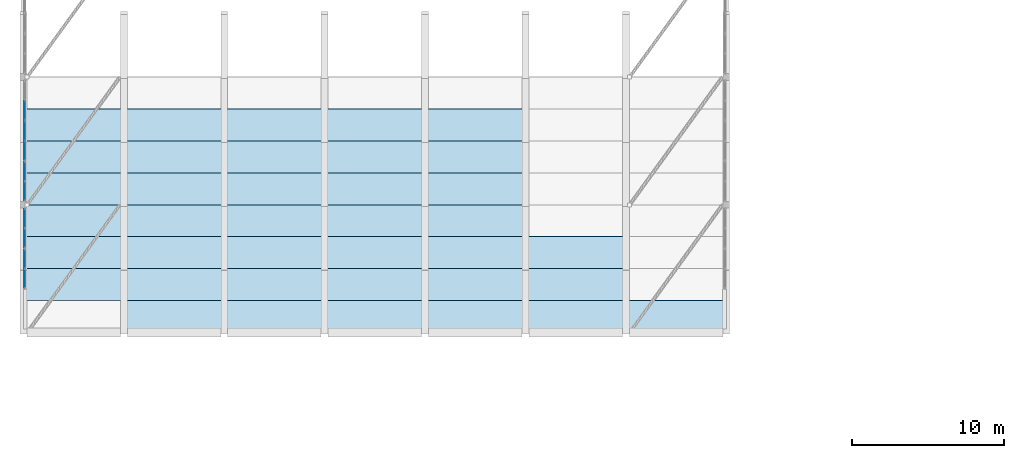
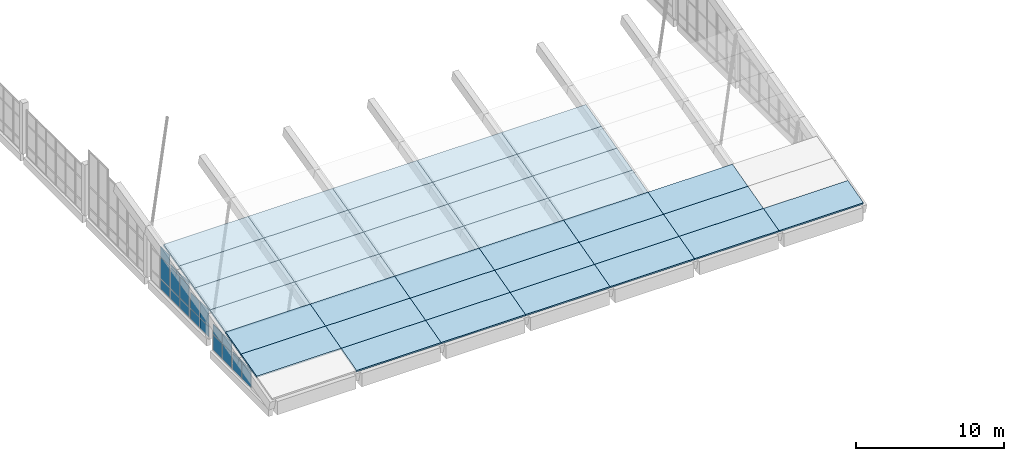
# One storey, part 40 of 78: 38 slabs, 21 plates, 5 elements without a shape of their own.
"""IFC4 building model written with IfcOpenShell, lengths in metres."""

from ifc_helpers import new_model, si_unit, direction, frame, origin, origin_2d, place, context, subcontext, project, spatial, polyline, rectangle, outline, extrude, material, layer, layer_set, type_object, element, aggregate, save


model = new_model("IFC4")

# Units and contexts
model_context = context("Model", 3, precision=1e-05, world=origin(), true_north=direction((0.0, 1.0)))
body_context = subcontext(model_context, "Body", "Model", "MODEL_VIEW")
ifc_project = project(units=[si_unit("LENGTHUNIT", "METRE"), si_unit("AREAUNIT", "SQUARE_METRE"), si_unit("VOLUMEUNIT", "CUBIC_METRE"), si_unit("PLANEANGLEUNIT", "RADIAN"), si_unit("MASSUNIT", "GRAM", prefix="KILO")], contexts=[model_context])

# Site, building, storey
site_placement = place(None, origin())
site = spatial("IfcSite", under=ifc_project, at=site_placement, CompositionType="ELEMENT")
building_placement = place(site_placement, origin())
building = spatial("IfcBuilding", under=site, at=building_placement, Name="Qaldarim Faculty of Natural and Applied Sciences", CompositionType="ELEMENT")
storey_placement = place(building_placement, frame((0.0, 0.0, 18.60009765625)))
storey = spatial("IfcBuildingStorey", under=building, at=storey_placement, Name="L04", CompositionType="ELEMENT", Elevation=18.60009765625)

# Curtain wall, plates
ifc_material_1 = material(Name="Anodised aluminium AW-6063", Category="aluminium")
curtain_wall_type_1 = type_object("IfcCurtainWallType", Name="CurtainWallSystem-M1500", PredefinedType="USERDEFINED", material=ifc_material_1)
curtain_wall_1_placement = place(storey_placement, origin())
curtain_wall_1 = element("IfcCurtainWall", 1, at=curtain_wall_1_placement, inside=storey, type_object=curtain_wall_type_1, Name="Curtain wall CW-GABLE-L04-W-Y03-2", ObjectType="STICK CURTAIN WALL", PredefinedType="USERDEFINED")
ifc_material_2 = material(Name="Champagne anodised aluminium AW-6063", Category="aluminium")
ifc_layer_1 = layer(ifc_material_2, 0.0400390625)
ifc_layer_set_1 = layer_set([ifc_layer_1], Name="Champagne anodised aluminium AW-6063")
plate_type_1 = type_object("IfcPlateType", Name="InsulatedSpandrelPanel-40", PredefinedType="CURTAIN_PANEL", material=ifc_layer_set_1)
plate_1_placement = place(storey_placement, frame((0.080078125, 21.646240234375, -0.919921875), z_axis=(0.0, 0.0, 1.0), x_axis=(0.0, -1.0, 0.0)))
plate_1 = element("IfcPlate", 2, at=plate_1_placement, type_object=plate_type_1, Name="Glazed panel 1-1 of CW-GABLE-L04-W-Y03-2", PredefinedType="CURTAIN_PANEL", context=body_context, shape_type="SweptSolid", body=[
    extrude(rectangle(XDim=1.2275390625, YDim=0.0400390625, at=origin_2d()), origin(), (0.0, 0.0, 1.0), 1.260009765625),
])
plate_2_placement = place(storey_placement, frame((0.080078125, 21.646240234375, 0.39990234375), z_axis=(0.0, 0.0, 1.0), x_axis=(0.0, -1.0, 0.0)))
plate_2 = element("IfcPlate", 3, at=plate_2_placement, type_object=plate_type_1, Name="Glazed panel 1-2 of CW-GABLE-L04-W-Y03-2", PredefinedType="CURTAIN_PANEL", context=body_context, shape_type="SweptSolid", body=[
    extrude(rectangle(XDim=1.2275390625, YDim=0.0400390625, at=origin_2d()), origin(), (0.0, 0.0, 1.0), 0.114990234375),
])
plate_3_placement = place(storey_placement, frame((0.080078125, 20.35888671875, -0.919921875), z_axis=(0.0, 0.0, 1.0), x_axis=(0.0, -1.0, 0.0)))
plate_3 = element("IfcPlate", 4, at=plate_3_placement, type_object=plate_type_1, Name="Glazed panel 2-1 of CW-GABLE-L04-W-Y03-2", PredefinedType="CURTAIN_PANEL", context=body_context, shape_type="SweptSolid", body=[
    extrude(rectangle(XDim=1.2275390625, YDim=0.0400390625, at=origin_2d()), origin(), (0.0, 0.0, 1.0), 1.260009765625),
])
plate_4_placement = place(storey_placement, frame((0.080078125, 20.35888671875, 0.39990234375), z_axis=(0.0, 0.0, 1.0), x_axis=(0.0, -1.0, 0.0)))
plate_4 = element("IfcPlate", 5, at=plate_4_placement, type_object=plate_type_1, Name="Glazed panel 2-2 of CW-GABLE-L04-W-Y03-2", PredefinedType="CURTAIN_PANEL", context=body_context, shape_type="SweptSolid", body=[
    extrude(rectangle(XDim=1.2275390625, YDim=0.0400390625, at=origin_2d()), origin(), (0.0, 0.0, 1.0), 0.114990234375),
])
aggregate(curtain_wall_1, [plate_1, plate_2, plate_3, plate_4])

curtain_wall_2_placement = place(storey_placement, origin())
curtain_wall_2 = element("IfcCurtainWall", 6, at=curtain_wall_2_placement, inside=storey, type_object=curtain_wall_type_1, Name="Curtain wall CW-GABLE-L04-W-Y03-3", ObjectType="STICK CURTAIN WALL", PredefinedType="USERDEFINED")
plate_5_placement = place(storey_placement, frame((0.080078125, 24.29638671875, -0.919921875), z_axis=(0.0, 0.0, 1.0), x_axis=(0.0, -1.0, 0.0)))
plate_5 = element("IfcPlate", 7, at=plate_5_placement, type_object=plate_type_1, Name="Glazed panel 1-1 of CW-GABLE-L04-W-Y03-3", PredefinedType="CURTAIN_PANEL", context=body_context, shape_type="SweptSolid", body=[
    extrude(rectangle(XDim=1.2275390625, YDim=0.0400390625, at=origin_2d()), origin(), (0.0, 0.0, 1.0), 1.260009765625),
])
plate_6_placement = place(storey_placement, frame((0.080078125, 24.29638671875, 0.39990234375), z_axis=(0.0, 0.0, 1.0), x_axis=(0.0, -1.0, 0.0)))
plate_6 = element("IfcPlate", 8, at=plate_6_placement, type_object=plate_type_1, Name="Glazed panel 1-2 of CW-GABLE-L04-W-Y03-3", PredefinedType="CURTAIN_PANEL", context=body_context, shape_type="SweptSolid", body=[
    extrude(rectangle(XDim=1.2275390625, YDim=0.0400390625, at=origin_2d()), origin(), (0.0, 0.0, 1.0), 0.804931640625),
])
plate_7_placement = place(storey_placement, frame((0.080078125, 23.0087890625, -0.919921875), z_axis=(0.0, 0.0, 1.0), x_axis=(0.0, -1.0, 0.0)))
plate_7 = element("IfcPlate", 9, at=plate_7_placement, type_object=plate_type_1, Name="Glazed panel 2-1 of CW-GABLE-L04-W-Y03-3", PredefinedType="CURTAIN_PANEL", context=body_context, shape_type="SweptSolid", body=[
    extrude(rectangle(XDim=1.2275390625, YDim=0.0400390625, at=origin_2d()), origin(), (0.0, 0.0, 1.0), 1.260009765625),
])
plate_8_placement = place(storey_placement, frame((0.080078125, 23.0087890625, 0.39990234375), z_axis=(0.0, 0.0, 1.0), x_axis=(0.0, -1.0, 0.0)))
plate_8 = element("IfcPlate", 10, at=plate_8_placement, type_object=plate_type_1, Name="Glazed panel 2-2 of CW-GABLE-L04-W-Y03-3", PredefinedType="CURTAIN_PANEL", context=body_context, shape_type="SweptSolid", body=[
    extrude(rectangle(XDim=1.2275390625, YDim=0.0400390625, at=origin_2d()), origin(), (0.0, 0.0, 1.0), 0.804931640625),
])
aggregate(curtain_wall_2, [plate_5, plate_6, plate_7, plate_8])

# Slabs
ifc_material_3 = material(Name="Concrete C40/50", Category="concrete")
ifc_layer_2 = layer(ifc_material_3, 0.159912109375)
ifc_layer_set_2 = layer_set([ifc_layer_2], Name="Concrete C40/50")
slab_type = type_object("IfcSlabType", Name="PointedArchShellStrip-160", PredefinedType="ROOF", material=ifc_layer_set_2)
slab_1_placement = place(storey_placement, frame((0.0, 29.438720703125, 3.14453125), z_axis=(0.0, -0.242588697378, 0.970129230518), x_axis=(1.0, 0.0, 0.0)))
element("IfcSlab", 11, at=slab_1_placement, inside=storey, type_object=slab_type, Name="Pointed-arch shell strip B01-S10", PredefinedType="ROOF", context=body_context, shape_type="SweptSolid", body=[
    extrude(outline(polyline([(0.0, 0.0), (6.60009765625, 0.0), (6.60009765625, 2.164760724846551), (0.0, 2.164760724846551), (0.0, 0.0)])), origin(), (0.0, 0.0, 1.0), 0.159912109375),
])
slab_2_placement = place(storey_placement, frame((0.0, 27.339599609375, 2.60986328125), z_axis=(0.0, -0.24685434662, 0.969052594834), x_axis=(1.0, 0.0, 0.0)))
element("IfcSlab", 12, at=slab_2_placement, inside=storey, type_object=slab_type, Name="Pointed-arch shell strip B01-S11", PredefinedType="ROOF", context=body_context, shape_type="SweptSolid", body=[
    extrude(outline(polyline([(0.0, 0.0), (6.60009765625, 0.0), (6.60009765625, 2.166913877346925), (0.0, 2.166913877346925), (0.0, 0.0)])), origin(), (0.0, 0.0, 1.0), 0.159912109375),
])
slab_3_placement = place(storey_placement, frame((0.0, 25.23974609375, 2.06982421875), z_axis=(0.0, -0.249047074443, 0.968491380814), x_axis=(1.0, 0.0, 0.0)))
element("IfcSlab", 13, at=slab_3_placement, inside=storey, type_object=slab_type, Name="Pointed-arch shell strip B01-S12", PredefinedType="ROOF", context=body_context, shape_type="SweptSolid", body=[
    extrude(outline(polyline([(0.0, 0.0), (6.60009765625, 0.0), (6.60009765625, 2.168421627546779), (0.0, 2.168421627546779), (0.0, 0.0)])), origin(), (0.0, 0.0, 1.0), 0.159912109375),
])
slab_4_placement = place(storey_placement, frame((0.0, 23.140380859375, 1.525146484375), z_axis=(0.0, -0.251184769049, 0.967939157074), x_axis=(1.0, 0.0, 0.0)))
element("IfcSlab", 14, at=slab_4_placement, inside=storey, type_object=slab_type, Name="Pointed-arch shell strip B01-S13", PredefinedType="ROOF", context=body_context, shape_type="SweptSolid", body=[
    extrude(outline(polyline([(0.0, 0.0), (6.60009765625, 0.0), (6.60009765625, 2.169406517215293), (0.0, 2.169406517215293), (0.0, 0.0)])), origin(), (0.0, 0.0, 1.0), 0.159912109375),
])
slab_5_placement = place(storey_placement, frame((0.0, 21.040771484375, 0.97021484375), z_axis=(0.0, -0.255472397462, 0.966816349745), x_axis=(1.0, 0.0, 0.0)))
element("IfcSlab", 15, at=slab_5_placement, inside=storey, type_object=slab_type, Name="Pointed-arch shell strip B01-S14", PredefinedType="ROOF", context=body_context, shape_type="SweptSolid", body=[
    extrude(outline(polyline([(0.0, 0.0), (6.60009765625, 0.0), (6.60009765625, 2.1721784667824826), (0.0, 2.1721784667824826), (0.0, 0.0)])), origin(), (0.0, 0.0, 1.0), 0.159912109375),
])
slab_6_placement = place(storey_placement, frame((0.0, 18.941162109375, 0.410400390625), z_axis=(0.0, -0.257676633066, 0.966231210825), x_axis=(1.0, 0.0, 0.0)))
element("IfcSlab", 16, at=slab_6_placement, inside=storey, type_object=slab_type, Name="Pointed-arch shell strip B01-S15", PredefinedType="ROOF", context=body_context, shape_type="SweptSolid", body=[
    extrude(outline(polyline([(0.0, 0.0), (6.60009765625, 0.0), (6.60009765625, 2.173493914005735), (0.0, 2.173493914005735), (0.0, 0.0)])), origin(), (0.0, 0.0, 1.0), 0.159912109375),
])
slab_7_placement = place(storey_placement, frame((6.60009765625, 29.438720703125, 3.14453125), z_axis=(0.0, -0.242588697378, 0.970129230518), x_axis=(1.0, 0.0, 0.0)))
element("IfcSlab", 17, at=slab_7_placement, inside=storey, type_object=slab_type, Name="Pointed-arch shell strip B02-S10", PredefinedType="ROOF", context=body_context, shape_type="SweptSolid", body=[
    extrude(outline(polyline([(0.0, 0.0), (6.599853515625, 0.0), (6.599853515625, 2.164760724846551), (0.0, 2.164760724846551), (0.0, 0.0)])), origin(), (0.0, 0.0, 1.0), 0.159912109375),
])
slab_8_placement = place(storey_placement, frame((6.60009765625, 27.339599609375, 2.60986328125), z_axis=(0.0, -0.24685434662, 0.969052594834), x_axis=(1.0, 0.0, 0.0)))
element("IfcSlab", 18, at=slab_8_placement, inside=storey, type_object=slab_type, Name="Pointed-arch shell strip B02-S11", PredefinedType="ROOF", context=body_context, shape_type="SweptSolid", body=[
    extrude(outline(polyline([(0.0, 0.0), (6.599853515625, 0.0), (6.599853515625, 2.166913877346925), (0.0, 2.166913877346925), (0.0, 0.0)])), origin(), (0.0, 0.0, 1.0), 0.159912109375),
])
slab_9_placement = place(storey_placement, frame((6.60009765625, 25.23974609375, 2.06982421875), z_axis=(0.0, -0.249047074443, 0.968491380814), x_axis=(1.0, 0.0, 0.0)))
element("IfcSlab", 19, at=slab_9_placement, inside=storey, type_object=slab_type, Name="Pointed-arch shell strip B02-S12", PredefinedType="ROOF", context=body_context, shape_type="SweptSolid", body=[
    extrude(outline(polyline([(0.0, 0.0), (6.599853515625, 0.0), (6.599853515625, 2.168421627546779), (0.0, 2.168421627546779), (0.0, 0.0)])), origin(), (0.0, 0.0, 1.0), 0.159912109375),
])
slab_10_placement = place(storey_placement, frame((6.60009765625, 23.140380859375, 1.525146484375), z_axis=(0.0, -0.251184769049, 0.967939157074), x_axis=(1.0, 0.0, 0.0)))
element("IfcSlab", 20, at=slab_10_placement, inside=storey, type_object=slab_type, Name="Pointed-arch shell strip B02-S13", PredefinedType="ROOF", context=body_context, shape_type="SweptSolid", body=[
    extrude(outline(polyline([(0.0, 0.0), (6.599853515625, 0.0), (6.599853515625, 2.169406517215293), (0.0, 2.169406517215293), (0.0, 0.0)])), origin(), (0.0, 0.0, 1.0), 0.159912109375),
])
slab_11_placement = place(storey_placement, frame((6.60009765625, 21.040771484375, 0.97021484375), z_axis=(0.0, -0.255472397462, 0.966816349745), x_axis=(1.0, 0.0, 0.0)))
element("IfcSlab", 21, at=slab_11_placement, inside=storey, type_object=slab_type, Name="Pointed-arch shell strip B02-S14", PredefinedType="ROOF", context=body_context, shape_type="SweptSolid", body=[
    extrude(outline(polyline([(0.0, 0.0), (6.599853515625, 0.0), (6.599853515625, 2.1721784667824826), (0.0, 2.1721784667824826), (0.0, 0.0)])), origin(), (0.0, 0.0, 1.0), 0.159912109375),
])
slab_12_placement = place(storey_placement, frame((6.60009765625, 18.941162109375, 0.410400390625), z_axis=(0.0, -0.257676633066, 0.966231210825), x_axis=(1.0, 0.0, 0.0)))
element("IfcSlab", 22, at=slab_12_placement, inside=storey, type_object=slab_type, Name="Pointed-arch shell strip B02-S15", PredefinedType="ROOF", context=body_context, shape_type="SweptSolid", body=[
    extrude(outline(polyline([(0.0, 0.0), (6.599853515625, 0.0), (6.599853515625, 2.1734939140057357), (0.0, 2.1734939140057357), (0.0, 0.0)])), origin(), (0.0, 0.0, 1.0), 0.159912109375),
])
slab_13_placement = place(storey_placement, frame((6.60009765625, 16.841552734375, -0.154541015625), z_axis=(0.0, -0.259800336151, 0.965662355762), x_axis=(1.0, 0.0, 0.0)))
element("IfcSlab", 23, at=slab_13_placement, inside=storey, type_object=slab_type, Name="Pointed-arch shell strip B02-S16", PredefinedType="ROOF", context=body_context, shape_type="SweptSolid", body=[
    extrude(outline(polyline([(0.0, 0.0), (6.599853515625, 0.0), (6.599853515625, 2.174521459902937), (0.0, 2.174521459902937), (0.0, 0.0)])), origin(), (0.0, 0.0, 1.0), 0.159912109375),
])
slab_14_placement = place(storey_placement, frame((13.199951171875, 29.438720703125, 3.14453125), z_axis=(0.0, -0.242588697378, 0.970129230518), x_axis=(1.0, 0.0, 0.0)))
element("IfcSlab", 24, at=slab_14_placement, inside=storey, type_object=slab_type, Name="Pointed-arch shell strip B03-S10", PredefinedType="ROOF", context=body_context, shape_type="SweptSolid", body=[
    extrude(outline(polyline([(0.0, 0.0), (6.60009765625, 0.0), (6.60009765625, 2.164760724846551), (0.0, 2.164760724846551), (0.0, 0.0)])), origin(), (0.0, 0.0, 1.0), 0.159912109375),
])
slab_15_placement = place(storey_placement, frame((13.199951171875, 27.339599609375, 2.60986328125), z_axis=(0.0, -0.24685434662, 0.969052594834), x_axis=(1.0, 0.0, 0.0)))
element("IfcSlab", 25, at=slab_15_placement, inside=storey, type_object=slab_type, Name="Pointed-arch shell strip B03-S11", PredefinedType="ROOF", context=body_context, shape_type="SweptSolid", body=[
    extrude(outline(polyline([(0.0, 0.0), (6.60009765625, 0.0), (6.60009765625, 2.166913877346925), (0.0, 2.166913877346925), (0.0, 0.0)])), origin(), (0.0, 0.0, 1.0), 0.159912109375),
])
slab_16_placement = place(storey_placement, frame((13.199951171875, 25.23974609375, 2.06982421875), z_axis=(0.0, -0.249047074443, 0.968491380814), x_axis=(1.0, 0.0, 0.0)))
element("IfcSlab", 26, at=slab_16_placement, inside=storey, type_object=slab_type, Name="Pointed-arch shell strip B03-S12", PredefinedType="ROOF", context=body_context, shape_type="SweptSolid", body=[
    extrude(outline(polyline([(0.0, 0.0), (6.60009765625, 0.0), (6.60009765625, 2.168421627546779), (0.0, 2.168421627546779), (0.0, 0.0)])), origin(), (0.0, 0.0, 1.0), 0.159912109375),
])
slab_17_placement = place(storey_placement, frame((13.199951171875, 23.140380859375, 1.525146484375), z_axis=(0.0, -0.251184769049, 0.967939157074), x_axis=(1.0, 0.0, 0.0)))
element("IfcSlab", 27, at=slab_17_placement, inside=storey, type_object=slab_type, Name="Pointed-arch shell strip B03-S13", PredefinedType="ROOF", context=body_context, shape_type="SweptSolid", body=[
    extrude(outline(polyline([(0.0, 0.0), (6.60009765625, 0.0), (6.60009765625, 2.169406517215293), (0.0, 2.169406517215293), (0.0, 0.0)])), origin(), (0.0, 0.0, 1.0), 0.159912109375),
])
slab_18_placement = place(storey_placement, frame((13.199951171875, 21.040771484375, 0.97021484375), z_axis=(0.0, -0.255472397462, 0.966816349745), x_axis=(1.0, 0.0, 0.0)))
element("IfcSlab", 28, at=slab_18_placement, inside=storey, type_object=slab_type, Name="Pointed-arch shell strip B03-S14", PredefinedType="ROOF", context=body_context, shape_type="SweptSolid", body=[
    extrude(outline(polyline([(0.0, 0.0), (6.60009765625, 0.0), (6.60009765625, 2.1721784667824826), (0.0, 2.1721784667824826), (0.0, 0.0)])), origin(), (0.0, 0.0, 1.0), 0.159912109375),
])
slab_19_placement = place(storey_placement, frame((13.199951171875, 18.941162109375, 0.410400390625), z_axis=(0.0, -0.257676633066, 0.966231210825), x_axis=(1.0, 0.0, 0.0)))
element("IfcSlab", 29, at=slab_19_placement, inside=storey, type_object=slab_type, Name="Pointed-arch shell strip B03-S15", PredefinedType="ROOF", context=body_context, shape_type="SweptSolid", body=[
    extrude(outline(polyline([(0.0, 0.0), (6.60009765625, 0.0), (6.60009765625, 2.173493914005735), (0.0, 2.173493914005735), (0.0, 0.0)])), origin(), (0.0, 0.0, 1.0), 0.159912109375),
])
slab_20_placement = place(storey_placement, frame((13.199951171875, 16.841552734375, -0.154541015625), z_axis=(0.0, -0.259800336151, 0.965662355762), x_axis=(1.0, 0.0, 0.0)))
element("IfcSlab", 30, at=slab_20_placement, inside=storey, type_object=slab_type, Name="Pointed-arch shell strip B03-S16", PredefinedType="ROOF", context=body_context, shape_type="SweptSolid", body=[
    extrude(outline(polyline([(0.0, 0.0), (6.60009765625, 0.0), (6.60009765625, 2.174521459902937), (0.0, 2.174521459902937), (0.0, 0.0)])), origin(), (0.0, 0.0, 1.0), 0.159912109375),
])
slab_21_placement = place(storey_placement, frame((19.800048828125, 29.438720703125, 3.14453125), z_axis=(0.0, -0.242588697378, 0.970129230518), x_axis=(1.0, 0.0, 0.0)))
element("IfcSlab", 31, at=slab_21_placement, inside=storey, type_object=slab_type, Name="Pointed-arch shell strip B04-S10", PredefinedType="ROOF", context=body_context, shape_type="SweptSolid", body=[
    extrude(outline(polyline([(0.0, 0.0), (6.599853515625, 0.0), (6.599853515625, 2.164760724846551), (0.0, 2.164760724846551), (0.0, 0.0)])), origin(), (0.0, 0.0, 1.0), 0.159912109375),
])
slab_22_placement = place(storey_placement, frame((19.800048828125, 27.339599609375, 2.60986328125), z_axis=(0.0, -0.24685434662, 0.969052594834), x_axis=(1.0, 0.0, 0.0)))
element("IfcSlab", 32, at=slab_22_placement, inside=storey, type_object=slab_type, Name="Pointed-arch shell strip B04-S11", PredefinedType="ROOF", context=body_context, shape_type="SweptSolid", body=[
    extrude(outline(polyline([(0.0, 0.0), (6.599853515625, 0.0), (6.599853515625, 2.166913877346925), (0.0, 2.166913877346925), (0.0, 0.0)])), origin(), (0.0, 0.0, 1.0), 0.159912109375),
])
slab_23_placement = place(storey_placement, frame((19.800048828125, 25.23974609375, 2.06982421875), z_axis=(0.0, -0.249047074443, 0.968491380814), x_axis=(1.0, 0.0, 0.0)))
element("IfcSlab", 33, at=slab_23_placement, inside=storey, type_object=slab_type, Name="Pointed-arch shell strip B04-S12", PredefinedType="ROOF", context=body_context, shape_type="SweptSolid", body=[
    extrude(outline(polyline([(0.0, 0.0), (6.599853515625, 0.0), (6.599853515625, 2.168421627546779), (0.0, 2.168421627546779), (0.0, 0.0)])), origin(), (0.0, 0.0, 1.0), 0.159912109375),
])
slab_24_placement = place(storey_placement, frame((19.800048828125, 23.140380859375, 1.525146484375), z_axis=(0.0, -0.251184769049, 0.967939157074), x_axis=(1.0, 0.0, 0.0)))
element("IfcSlab", 34, at=slab_24_placement, inside=storey, type_object=slab_type, Name="Pointed-arch shell strip B04-S13", PredefinedType="ROOF", context=body_context, shape_type="SweptSolid", body=[
    extrude(outline(polyline([(0.0, 0.0), (6.599853515625, 0.0), (6.599853515625, 2.169406517215293), (0.0, 2.169406517215293), (0.0, 0.0)])), origin(), (0.0, 0.0, 1.0), 0.159912109375),
])
slab_25_placement = place(storey_placement, frame((19.800048828125, 21.040771484375, 0.97021484375), z_axis=(0.0, -0.255472397462, 0.966816349745), x_axis=(1.0, 0.0, 0.0)))
element("IfcSlab", 35, at=slab_25_placement, inside=storey, type_object=slab_type, Name="Pointed-arch shell strip B04-S14", PredefinedType="ROOF", context=body_context, shape_type="SweptSolid", body=[
    extrude(outline(polyline([(0.0, 0.0), (6.599853515625, 0.0), (6.599853515625, 2.1721784667824826), (0.0, 2.1721784667824826), (0.0, 0.0)])), origin(), (0.0, 0.0, 1.0), 0.159912109375),
])
slab_26_placement = place(storey_placement, frame((19.800048828125, 18.941162109375, 0.410400390625), z_axis=(0.0, -0.257676633066, 0.966231210825), x_axis=(1.0, 0.0, 0.0)))
element("IfcSlab", 36, at=slab_26_placement, inside=storey, type_object=slab_type, Name="Pointed-arch shell strip B04-S15", PredefinedType="ROOF", context=body_context, shape_type="SweptSolid", body=[
    extrude(outline(polyline([(0.0, 0.0), (6.599853515625, 0.0), (6.599853515625, 2.1734939140057357), (0.0, 2.1734939140057357), (0.0, 0.0)])), origin(), (0.0, 0.0, 1.0), 0.159912109375),
])
slab_27_placement = place(storey_placement, frame((19.800048828125, 16.841552734375, -0.154541015625), z_axis=(0.0, -0.259800336151, 0.965662355762), x_axis=(1.0, 0.0, 0.0)))
element("IfcSlab", 37, at=slab_27_placement, inside=storey, type_object=slab_type, Name="Pointed-arch shell strip B04-S16", PredefinedType="ROOF", context=body_context, shape_type="SweptSolid", body=[
    extrude(outline(polyline([(0.0, 0.0), (6.599853515625, 0.0), (6.599853515625, 2.174521459902937), (0.0, 2.174521459902937), (0.0, 0.0)])), origin(), (0.0, 0.0, 1.0), 0.159912109375),
])
slab_28_placement = place(storey_placement, frame((26.39990234375, 29.438720703125, 3.14453125), z_axis=(0.0, -0.242588697378, 0.970129230518), x_axis=(1.0, 0.0, 0.0)))
element("IfcSlab", 38, at=slab_28_placement, inside=storey, type_object=slab_type, Name="Pointed-arch shell strip B05-S10", PredefinedType="ROOF", context=body_context, shape_type="SweptSolid", body=[
    extrude(outline(polyline([(0.0, 0.0), (6.60009765625, 0.0), (6.60009765625, 2.164760724846551), (0.0, 2.164760724846551), (0.0, 0.0)])), origin(), (0.0, 0.0, 1.0), 0.159912109375),
])
slab_29_placement = place(storey_placement, frame((26.39990234375, 27.339599609375, 2.60986328125), z_axis=(0.0, -0.24685434662, 0.969052594834), x_axis=(1.0, 0.0, 0.0)))
element("IfcSlab", 39, at=slab_29_placement, inside=storey, type_object=slab_type, Name="Pointed-arch shell strip B05-S11", PredefinedType="ROOF", context=body_context, shape_type="SweptSolid", body=[
    extrude(outline(polyline([(0.0, 0.0), (6.60009765625, 0.0), (6.60009765625, 2.166913877346925), (0.0, 2.166913877346925), (0.0, 0.0)])), origin(), (0.0, 0.0, 1.0), 0.159912109375),
])
slab_30_placement = place(storey_placement, frame((26.39990234375, 25.23974609375, 2.06982421875), z_axis=(0.0, -0.249047074443, 0.968491380814), x_axis=(1.0, 0.0, 0.0)))
element("IfcSlab", 40, at=slab_30_placement, inside=storey, type_object=slab_type, Name="Pointed-arch shell strip B05-S12", PredefinedType="ROOF", context=body_context, shape_type="SweptSolid", body=[
    extrude(outline(polyline([(0.0, 0.0), (6.60009765625, 0.0), (6.60009765625, 2.168421627546779), (0.0, 2.168421627546779), (0.0, 0.0)])), origin(), (0.0, 0.0, 1.0), 0.159912109375),
])
slab_31_placement = place(storey_placement, frame((26.39990234375, 23.140380859375, 1.525146484375), z_axis=(0.0, -0.251184769049, 0.967939157074), x_axis=(1.0, 0.0, 0.0)))
element("IfcSlab", 41, at=slab_31_placement, inside=storey, type_object=slab_type, Name="Pointed-arch shell strip B05-S13", PredefinedType="ROOF", context=body_context, shape_type="SweptSolid", body=[
    extrude(outline(polyline([(0.0, 0.0), (6.60009765625, 0.0), (6.60009765625, 2.169406517215293), (0.0, 2.169406517215293), (0.0, 0.0)])), origin(), (0.0, 0.0, 1.0), 0.159912109375),
])
slab_32_placement = place(storey_placement, frame((26.39990234375, 21.040771484375, 0.97021484375), z_axis=(0.0, -0.255472397462, 0.966816349745), x_axis=(1.0, 0.0, 0.0)))
element("IfcSlab", 42, at=slab_32_placement, inside=storey, type_object=slab_type, Name="Pointed-arch shell strip B05-S14", PredefinedType="ROOF", context=body_context, shape_type="SweptSolid", body=[
    extrude(outline(polyline([(0.0, 0.0), (6.60009765625, 0.0), (6.60009765625, 2.1721784667824826), (0.0, 2.1721784667824826), (0.0, 0.0)])), origin(), (0.0, 0.0, 1.0), 0.159912109375),
])
slab_33_placement = place(storey_placement, frame((26.39990234375, 18.941162109375, 0.410400390625), z_axis=(0.0, -0.257676633066, 0.966231210825), x_axis=(1.0, 0.0, 0.0)))
element("IfcSlab", 43, at=slab_33_placement, inside=storey, type_object=slab_type, Name="Pointed-arch shell strip B05-S15", PredefinedType="ROOF", context=body_context, shape_type="SweptSolid", body=[
    extrude(outline(polyline([(0.0, 0.0), (6.60009765625, 0.0), (6.60009765625, 2.173493914005735), (0.0, 2.173493914005735), (0.0, 0.0)])), origin(), (0.0, 0.0, 1.0), 0.159912109375),
])
slab_34_placement = place(storey_placement, frame((26.39990234375, 16.841552734375, -0.154541015625), z_axis=(0.0, -0.259800336151, 0.965662355762), x_axis=(1.0, 0.0, 0.0)))
element("IfcSlab", 44, at=slab_34_placement, inside=storey, type_object=slab_type, Name="Pointed-arch shell strip B05-S16", PredefinedType="ROOF", context=body_context, shape_type="SweptSolid", body=[
    extrude(outline(polyline([(0.0, 0.0), (6.60009765625, 0.0), (6.60009765625, 2.174521459902937), (0.0, 2.174521459902937), (0.0, 0.0)])), origin(), (0.0, 0.0, 1.0), 0.159912109375),
])
slab_35_placement = place(storey_placement, frame((33.0, 21.040771484375, 0.97021484375), z_axis=(0.0, -0.255472397462, 0.966816349745), x_axis=(1.0, 0.0, 0.0)))
element("IfcSlab", 45, at=slab_35_placement, inside=storey, type_object=slab_type, Name="Pointed-arch shell strip B06-S14", PredefinedType="ROOF", context=body_context, shape_type="SweptSolid", body=[
    extrude(outline(polyline([(0.0, 0.0), (6.60009765625, 0.0), (6.60009765625, 2.1721784667824826), (0.0, 2.1721784667824826), (0.0, 0.0)])), origin(), (0.0, 0.0, 1.0), 0.159912109375),
])
slab_36_placement = place(storey_placement, frame((33.0, 18.941162109375, 0.410400390625), z_axis=(0.0, -0.257676633066, 0.966231210825), x_axis=(1.0, 0.0, 0.0)))
element("IfcSlab", 46, at=slab_36_placement, inside=storey, type_object=slab_type, Name="Pointed-arch shell strip B06-S15", PredefinedType="ROOF", context=body_context, shape_type="SweptSolid", body=[
    extrude(outline(polyline([(0.0, 0.0), (6.60009765625, 0.0), (6.60009765625, 2.173493914005735), (0.0, 2.173493914005735), (0.0, 0.0)])), origin(), (0.0, 0.0, 1.0), 0.159912109375),
])
slab_37_placement = place(storey_placement, frame((33.0, 16.841552734375, -0.154541015625), z_axis=(0.0, -0.259800336151, 0.965662355762), x_axis=(1.0, 0.0, 0.0)))
element("IfcSlab", 47, at=slab_37_placement, inside=storey, type_object=slab_type, Name="Pointed-arch shell strip B06-S16", PredefinedType="ROOF", context=body_context, shape_type="SweptSolid", body=[
    extrude(outline(polyline([(0.0, 0.0), (6.60009765625, 0.0), (6.60009765625, 2.174521459902937), (0.0, 2.174521459902937), (0.0, 0.0)])), origin(), (0.0, 0.0, 1.0), 0.159912109375),
])
slab_38_placement = place(storey_placement, frame((39.60009765625, 16.841552734375, -0.154541015625), z_axis=(0.0, -0.259800336151, 0.965662355762), x_axis=(1.0, 0.0, 0.0)))
element("IfcSlab", 48, at=slab_38_placement, inside=storey, type_object=slab_type, Name="Pointed-arch shell strip B07-S16", PredefinedType="ROOF", context=body_context, shape_type="SweptSolid", body=[
    extrude(outline(polyline([(0.0, 0.0), (6.599853515625, 0.0), (6.599853515625, 2.174521459902937), (0.0, 2.174521459902937), (0.0, 0.0)])), origin(), (0.0, 0.0, 1.0), 0.159912109375),
])

# Curtain wall, plates
curtain_wall_type_2 = type_object("IfcCurtainWallType", Name="CurtainWallSystem-M1300", PredefinedType="USERDEFINED", material=ifc_material_1)
curtain_wall_3_placement = place(storey_placement, origin())
curtain_wall_3 = element("IfcCurtainWall", 49, at=curtain_wall_3_placement, inside=storey, type_object=curtain_wall_type_2, Name="Curtain wall CW-GABLE-L04-W-Y04-1", ObjectType="STICK CURTAIN WALL", PredefinedType="USERDEFINED")
ifc_material_4 = material(Name="Insulated low-e double glazing", Category="glass")
ifc_layer_3 = layer(ifc_material_4, 0.028076171875)
ifc_layer_set_3 = layer_set([ifc_layer_3], Name="Insulated low-e double glazing")
plate_type_2 = type_object("IfcPlateType", Name="VisionGlazingPanel-28", PredefinedType="CURTAIN_PANEL", material=ifc_layer_set_3)
plate_9_placement = place(storey_placement, frame((0.080078125, 27.39111328125, -0.2001953125), z_axis=(0.0, 0.0, 1.0), x_axis=(0.0, -1.0, 0.0)))
plate_9 = element("IfcPlate", 50, at=plate_9_placement, type_object=plate_type_2, Name="Glazed panel 1-1 of CW-GABLE-L04-W-Y04-1", PredefinedType="CURTAIN_PANEL", context=body_context, shape_type="SweptSolid", body=[
    extrude(rectangle(XDim=1.2275390625, YDim=0.028076171875, at=origin_2d()), origin(), (0.0, 0.0, 1.0), 0.81005859375),
])
plate_10_placement = place(storey_placement, frame((0.080078125, 27.39111328125, 0.669921875), z_axis=(0.0, 0.0, 1.0), x_axis=(0.0, -1.0, 0.0)))
plate_10 = element("IfcPlate", 51, at=plate_10_placement, type_object=plate_type_2, Name="Glazed panel 1-2 of CW-GABLE-L04-W-Y04-1", PredefinedType="CURTAIN_PANEL", context=body_context, shape_type="SweptSolid", body=[
    extrude(rectangle(XDim=1.2275390625, YDim=0.028076171875, at=origin_2d()), origin(), (0.0, 0.0, 1.0), 1.330078125),
])
plate_11_placement = place(storey_placement, frame((0.080078125, 26.103759765625, -0.2001953125), z_axis=(0.0, 0.0, 1.0), x_axis=(0.0, -1.0, 0.0)))
plate_11 = element("IfcPlate", 52, at=plate_11_placement, type_object=plate_type_2, Name="Glazed panel 2-1 of CW-GABLE-L04-W-Y04-1", PredefinedType="CURTAIN_PANEL", context=body_context, shape_type="SweptSolid", body=[
    extrude(rectangle(XDim=1.2275390625, YDim=0.028076171875, at=origin_2d()), origin(), (0.0, 0.0, 1.0), 0.81005859375),
])
plate_12_placement = place(storey_placement, frame((0.080078125, 26.103759765625, 0.669921875), z_axis=(0.0, 0.0, 1.0), x_axis=(0.0, -1.0, 0.0)))
plate_12 = element("IfcPlate", 53, at=plate_12_placement, type_object=plate_type_2, Name="Glazed panel 2-2 of CW-GABLE-L04-W-Y04-1", PredefinedType="CURTAIN_PANEL", context=body_context, shape_type="SweptSolid", body=[
    extrude(rectangle(XDim=1.2275390625, YDim=0.028076171875, at=origin_2d()), origin(), (0.0, 0.0, 1.0), 1.330078125),
])
aggregate(curtain_wall_3, [plate_9, plate_10, plate_11, plate_12])

curtain_wall_4_placement = place(storey_placement, origin())
curtain_wall_4 = element("IfcCurtainWall", 54, at=curtain_wall_4_placement, inside=storey, type_object=curtain_wall_type_2, Name="Curtain wall CW-GABLE-L04-W-Y04-2", ObjectType="STICK CURTAIN WALL", PredefinedType="USERDEFINED")
plate_13_placement = place(storey_placement, frame((0.080078125, 30.04638671875, -0.2001953125), z_axis=(0.0, 0.0, 1.0), x_axis=(0.0, -1.0, 0.0)))
plate_13 = element("IfcPlate", 55, at=plate_13_placement, type_object=plate_type_2, Name="Glazed panel 1-1 of CW-GABLE-L04-W-Y04-2", PredefinedType="CURTAIN_PANEL", context=body_context, shape_type="SweptSolid", body=[
    extrude(rectangle(XDim=1.2275390625, YDim=0.028076171875, at=origin_2d()), origin(), (0.0, 0.0, 1.0), 0.81005859375),
])
plate_14_placement = place(storey_placement, frame((0.080078125, 30.04638671875, 0.669921875), z_axis=(0.0, 0.0, 1.0), x_axis=(0.0, -1.0, 0.0)))
plate_14 = element("IfcPlate", 56, at=plate_14_placement, type_object=plate_type_2, Name="Glazed panel 1-2 of CW-GABLE-L04-W-Y04-2", PredefinedType="CURTAIN_PANEL", context=body_context, shape_type="SweptSolid", body=[
    extrude(rectangle(XDim=1.2275390625, YDim=0.028076171875, at=origin_2d()), origin(), (0.0, 0.0, 1.0), 1.739990234375),
])
plate_15_placement = place(storey_placement, frame((0.080078125, 30.04638671875, 2.4697265625), z_axis=(0.0, 0.0, 1.0), x_axis=(0.0, -1.0, 0.0)))
plate_15 = element("IfcPlate", 57, at=plate_15_placement, type_object=plate_type_2, Name="Glazed panel 1-3 of CW-GABLE-L04-W-Y04-2", PredefinedType="CURTAIN_PANEL", context=body_context, shape_type="SweptSolid", body=[
    extrude(rectangle(XDim=1.2275390625, YDim=0.028076171875, at=origin_2d()), origin(), (0.0, 0.0, 1.0), 0.199951171875),
])
plate_16_placement = place(storey_placement, frame((0.080078125, 28.7587890625, -0.2001953125), z_axis=(0.0, 0.0, 1.0), x_axis=(0.0, -1.0, 0.0)))
plate_16 = element("IfcPlate", 58, at=plate_16_placement, type_object=plate_type_2, Name="Glazed panel 2-1 of CW-GABLE-L04-W-Y04-2", PredefinedType="CURTAIN_PANEL", context=body_context, shape_type="SweptSolid", body=[
    extrude(rectangle(XDim=1.2275390625, YDim=0.028076171875, at=origin_2d()), origin(), (0.0, 0.0, 1.0), 0.81005859375),
])
plate_17_placement = place(storey_placement, frame((0.080078125, 28.7587890625, 0.669921875), z_axis=(0.0, 0.0, 1.0), x_axis=(0.0, -1.0, 0.0)))
plate_17 = element("IfcPlate", 59, at=plate_17_placement, type_object=plate_type_2, Name="Glazed panel 2-2 of CW-GABLE-L04-W-Y04-2", PredefinedType="CURTAIN_PANEL", context=body_context, shape_type="SweptSolid", body=[
    extrude(rectangle(XDim=1.2275390625, YDim=0.028076171875, at=origin_2d()), origin(), (0.0, 0.0, 1.0), 1.739990234375),
])
plate_18_placement = place(storey_placement, frame((0.080078125, 28.7587890625, 2.4697265625), z_axis=(0.0, 0.0, 1.0), x_axis=(0.0, -1.0, 0.0)))
plate_18 = element("IfcPlate", 60, at=plate_18_placement, type_object=plate_type_2, Name="Glazed panel 2-3 of CW-GABLE-L04-W-Y04-2", PredefinedType="CURTAIN_PANEL", context=body_context, shape_type="SweptSolid", body=[
    extrude(rectangle(XDim=1.2275390625, YDim=0.028076171875, at=origin_2d()), origin(), (0.0, 0.0, 1.0), 0.199951171875),
])
aggregate(curtain_wall_4, [plate_13, plate_14, plate_15, plate_16, plate_17, plate_18])

curtain_wall_5_placement = place(storey_placement, origin())
curtain_wall_5 = element("IfcCurtainWall", 61, at=curtain_wall_5_placement, inside=storey, type_object=curtain_wall_type_2, Name="Curtain wall CW-GABLE-L04-W-Y04-3", ObjectType="STICK CURTAIN WALL", PredefinedType="USERDEFINED")
plate_19_placement = place(storey_placement, frame((0.080078125, 31.40869140625, -0.2001953125), z_axis=(0.0, 0.0, 1.0), x_axis=(0.0, -1.0, 0.0)))
plate_19 = element("IfcPlate", 62, at=plate_19_placement, type_object=plate_type_2, Name="Glazed panel 2-1 of CW-GABLE-L04-W-Y04-3", PredefinedType="CURTAIN_PANEL", context=body_context, shape_type="SweptSolid", body=[
    extrude(rectangle(XDim=1.2275390625, YDim=0.028076171875, at=origin_2d()), origin(), (0.0, 0.0, 1.0), 0.81005859375),
])
plate_20_placement = place(storey_placement, frame((0.080078125, 31.40869140625, 0.669921875), z_axis=(0.0, 0.0, 1.0), x_axis=(0.0, -1.0, 0.0)))
plate_20 = element("IfcPlate", 63, at=plate_20_placement, type_object=plate_type_2, Name="Glazed panel 2-2 of CW-GABLE-L04-W-Y04-3", PredefinedType="CURTAIN_PANEL", context=body_context, shape_type="SweptSolid", body=[
    extrude(rectangle(XDim=1.2275390625, YDim=0.028076171875, at=origin_2d()), origin(), (0.0, 0.0, 1.0), 1.739990234375),
])
plate_21_placement = place(storey_placement, frame((0.080078125, 31.40869140625, 2.469970703125), z_axis=(0.0, 0.0, 1.0), x_axis=(0.0, -1.0, 0.0)))
plate_21 = element("IfcPlate", 64, at=plate_21_placement, type_object=plate_type_2, Name="Glazed panel 2-3 of CW-GABLE-L04-W-Y04-3", PredefinedType="CURTAIN_PANEL", context=body_context, shape_type="SweptSolid", body=[
    extrude(rectangle(XDim=1.2275390625, YDim=0.028076171875, at=origin_2d()), origin(), (0.0, 0.0, 1.0), 0.85498046875),
])
aggregate(curtain_wall_5, [plate_19, plate_20, plate_21])

save(model, "model.ifc")
